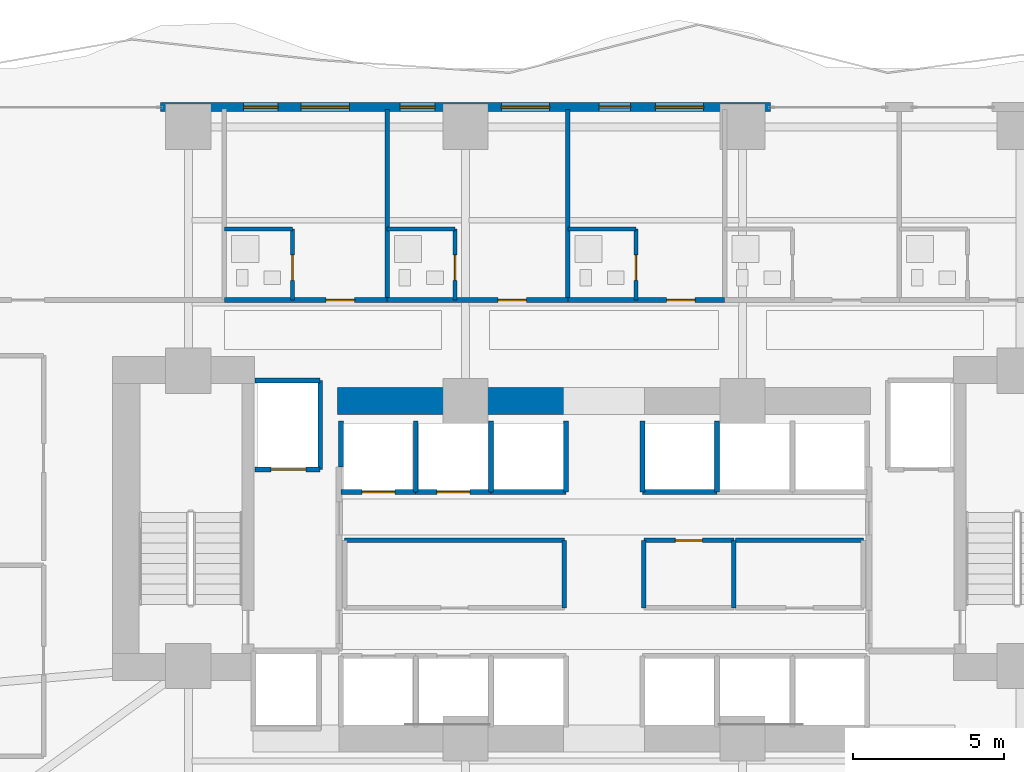
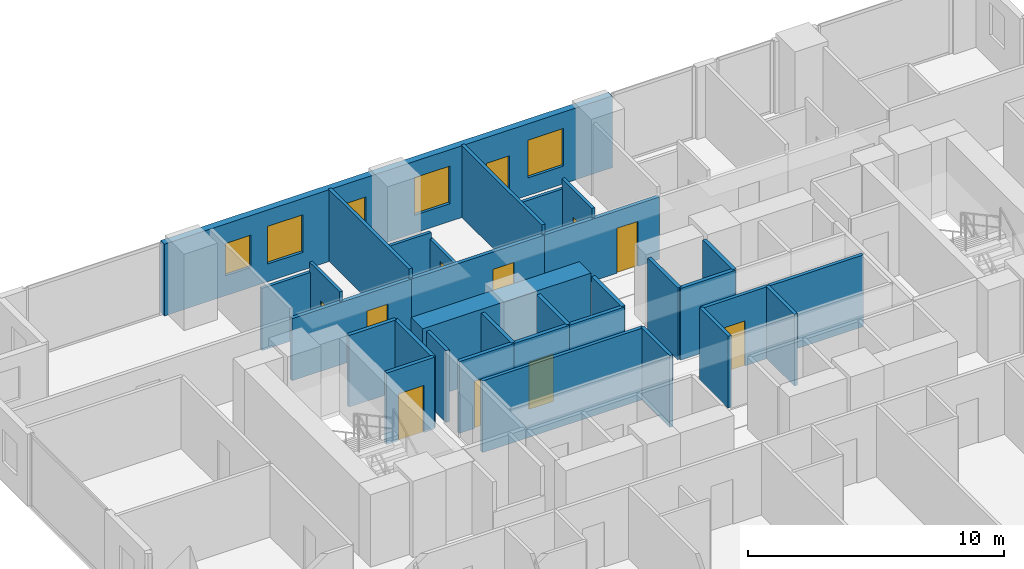
# One storey, part 21 of 28: 32 walls, 11 doors, 5 windows, 16 openings.
"""IFC4 building model written with IfcOpenShell, lengths in metres."""

from ifc_helpers import new_model, si_unit, direction, frame, frame_2d, origin, place, context, subcontext, project, spatial, rectangle, extrude, material, layer, layer_set, type_object, element, fill, save


model = new_model("IFC4")

# Units and contexts
model_context = context("Model", 3, precision=1e-05, world=origin(), true_north=direction((0.0, 1.0)))
body_context = subcontext(model_context, "Body", "Model", "MODEL_VIEW")
ifc_project = project(units=[si_unit("LENGTHUNIT", "METRE"), si_unit("AREAUNIT", "SQUARE_METRE"), si_unit("VOLUMEUNIT", "CUBIC_METRE"), si_unit("PLANEANGLEUNIT", "RADIAN"), si_unit("MASSUNIT", "GRAM", prefix="KILO")], contexts=[model_context])

# Site, building, storey
site_placement = place(None, origin())
site = spatial("IfcSite", under=ifc_project, at=site_placement, CompositionType="ELEMENT")
building_placement = place(site_placement, origin())
building = spatial("IfcBuilding", under=site, at=building_placement, Name="Zuhayl Quay Hotel", CompositionType="ELEMENT")
storey_placement = place(building_placement, frame((0.0, 0.0, 31.25)))
storey = spatial("IfcBuildingStorey", under=building, at=storey_placement, Name="L06", CompositionType="ELEMENT", Elevation=31.25)

# Wall
ifc_material_1 = material(Name="Concrete C70/85", Category="concrete")
ifc_layer_1 = layer(ifc_material_1, 0.89990234375, Name="Concrete C70/85", Category="concrete")
ifc_layer_set_1 = layer_set([ifc_layer_1], Name="Concrete C70/85")
wall_type_1 = type_object("IfcWallType", Name="WL_CORE_900", PredefinedType="SHEAR", material=ifc_layer_set_1)
wall_1_placement = place(storey_placement, frame((-8.85009765625, 13.35009765625, 0.0), z_axis=(0.0, 0.0, 1.0), x_axis=(1.0, 0.0, 0.0)))
element("IfcWall", 1, at=wall_1_placement, inside=storey, type_object=wall_type_1, Name="L06 Core Shear Wall CW_NC_W", PredefinedType="SHEAR", context=body_context, shape_type="SweptSolid", body=[
    extrude(rectangle(XDim=7.60009765625, YDim=0.89990234375, at=frame_2d((3.800048828125, 0.0))), origin(), (0.0, 0.0, 1.0), 3.429931640625),
])

# Wall, openings, door, windows
ifc_material_2 = material(Name="Precast concrete C45/55", Category="concrete")
ifc_layer_2 = layer(ifc_material_2, 0.300048828125, Name="Precast concrete C45/55", Category="concrete")
ifc_layer_set_2 = layer_set([ifc_layer_2], Name="Precast concrete C45/55")
wall_type_2 = type_object("IfcWallType", Name="WL_EXT_300", PredefinedType="STANDARD", material=ifc_layer_set_2)
wall_2_placement = place(storey_placement, frame((-14.719970703125, 23.10009765625, 0.0), z_axis=(0.0, 0.0, 1.0), x_axis=(1.0, 0.0, 0.0)))
wall_2 = element("IfcWall", 2, at=wall_2_placement, inside=storey, type_object=wall_type_2, Name="L06 Exterior Precast Wall ENV_L06_N_EW2", PredefinedType="STANDARD", context=body_context, shape_type="SweptSolid", body=[
    extrude(rectangle(XDim=20.239990234375, YDim=0.300048828125, at=frame_2d((10.1201171875, 0.0))), origin(), (0.0, 0.0, 1.0), 3.429931640625),
])
opening_1_placement = place(wall_2_placement, frame((14.554931640625, 0.0, 0.0)))
opening_1 = element("IfcOpeningElement", 3, at=opening_1_placement, cuts=wall_2, Name="Opening DG1", PredefinedType="OPENING", context=body_context, shape_type="SweptSolid", body=[
    extrude(rectangle(XDim=1.050048828125, YDim=2.199951171875, at=frame_2d((0.52490234375, 1.10009765625))), frame((0.0, 0.159912109375, 0.0), z_axis=(0.0, -1.0, 0.0), x_axis=(1.0, 0.0, 0.0)), (0.0, 0.0, 1.0), 0.320068359375),
])
opening_2_placement = place(wall_2_placement, frame((4.66796875, 0.0, 0.85009765625)))
opening_2 = element("IfcOpeningElement", 4, at=opening_2_placement, cuts=wall_2, Name="Opening W01", PredefinedType="OPENING", context=body_context, shape_type="SweptSolid", body=[
    extrude(rectangle(XDim=1.60009765625, YDim=1.800048828125, at=frame_2d((0.800048828125, 0.89990234375))), frame((0.0, 0.159912109375, 0.0), z_axis=(0.0, -1.0, 0.0), x_axis=(1.0, 0.0, 0.0)), (0.0, 0.0, 1.0), 0.320068359375),
])
opening_3_placement = place(wall_2_placement, frame((2.75390625, 0.0, 0.949951171875)))
opening_3 = element("IfcOpeningElement", 5, at=opening_3_placement, cuts=wall_2, Name="Opening W01N", PredefinedType="OPENING", context=body_context, shape_type="SweptSolid", body=[
    extrude(rectangle(XDim=1.14990234375, YDim=1.550048828125, at=frame_2d((0.574951171875, 0.77490234375))), frame((0.0, 0.159912109375, 0.0), z_axis=(0.0, -1.0, 0.0), x_axis=(1.0, 0.0, 0.0)), (0.0, 0.0, 1.0), 0.320068359375),
])
opening_4_placement = place(wall_2_placement, frame((7.955078125, 0.0, 0.949951171875)))
opening_4 = element("IfcOpeningElement", 6, at=opening_4_placement, cuts=wall_2, Name="Opening W01N", PredefinedType="OPENING", context=body_context, shape_type="SweptSolid", body=[
    extrude(rectangle(XDim=1.14990234375, YDim=1.550048828125, at=frame_2d((0.574951171875, 0.77490234375))), frame((0.0, 0.159912109375, 0.0), z_axis=(0.0, -1.0, 0.0), x_axis=(1.0, 0.0, 0.0)), (0.0, 0.0, 1.0), 0.320068359375),
])
opening_5_placement = place(wall_2_placement, frame((11.31005859375, 0.0, 0.85009765625)))
opening_5 = element("IfcOpeningElement", 7, at=opening_5_placement, cuts=wall_2, Name="Opening W01", PredefinedType="OPENING", context=body_context, shape_type="SweptSolid", body=[
    extrude(rectangle(XDim=1.60009765625, YDim=1.800048828125, at=frame_2d((0.800048828125, 0.89990234375))), frame((0.0, 0.159912109375, 0.0), z_axis=(0.0, -1.0, 0.0), x_axis=(1.0, 0.0, 0.0)), (0.0, 0.0, 1.0), 0.320068359375),
])
opening_6_placement = place(wall_2_placement, frame((16.427490234375, 0.0, 0.85009765625)))
opening_6 = element("IfcOpeningElement", 8, at=opening_6_placement, cuts=wall_2, Name="Opening W01", PredefinedType="OPENING", context=body_context, shape_type="SweptSolid", body=[
    extrude(rectangle(XDim=1.60009765625, YDim=1.800048828125, at=frame_2d((0.800048828125, 0.89990234375))), frame((0.0, 0.159912109375, 0.0), z_axis=(0.0, -1.0, 0.0), x_axis=(1.0, 0.0, 0.0)), (0.0, 0.0, 1.0), 0.320068359375),
])
ifc_material_3 = material(Name="Anodised Aluminium and Dark Solar Glass", Category="aluminium")
door_type_1 = type_object("IfcDoorType", Name="DR_EXT_TERR_1050", OperationType="NOTDEFINED", PredefinedType="DOOR", material=ifc_material_3)
door_1_placement = place(opening_1_placement, origin())
door_1 = element("IfcDoor", 9, at=door_1_placement, inside=storey, type_object=door_type_1, Name="L06 North Rippling Balcony Door", OperationType="SINGLE_SWING_LEFT", OverallHeight=2.199951171875, OverallWidth=1.050048828125, PredefinedType="DOOR", context=body_context, shape_type="SweptSolid", body=[
    extrude(rectangle(XDim=1.050048828125, YDim=2.199951171875, at=frame_2d((0.52490234375, 1.10009765625))), frame((0.0, 0.02490234375, 0.0), z_axis=(0.0, -1.0, 0.0), x_axis=(1.0, 0.0, 0.0)), (0.0, 0.0, 1.0), 0.050048828125),
])
fill(opening_1, door_1)
ifc_material_4 = material(Name="Dark Ceramic-Fritted Solar Glass", Category="glass")
window_type_1 = type_object("IfcWindowType", Name="WN_NOTCH_1350", PartitioningType="SINGLE_PANEL", PredefinedType="WINDOW", material=ifc_material_4)
window_1_placement = place(opening_3_placement, origin())
window_1 = element("IfcWindow", 10, at=window_1_placement, inside=storey, type_object=window_type_1, Name="L06 Operable Facade Window 2-1", OverallHeight=1.550048828125, OverallWidth=1.14990234375, PartitioningType="SINGLE_PANEL", PredefinedType="WINDOW", context=body_context, shape_type="SweptSolid", body=[
    extrude(rectangle(XDim=1.14990234375, YDim=1.550048828125, at=frame_2d((0.574951171875, 0.77490234375))), frame((0.0, 0.030029296875, 0.0), z_axis=(0.0, -1.0, 0.0), x_axis=(1.0, 0.0, 0.0)), (0.0, 0.0, 1.0), 0.06005859375),
])
fill(opening_3, window_1)
window_2_placement = place(opening_4_placement, origin())
window_2 = element("IfcWindow", 11, at=window_2_placement, inside=storey, type_object=window_type_1, Name="L06 Operable Facade Window 2-2", OverallHeight=1.550048828125, OverallWidth=1.14990234375, PartitioningType="SINGLE_PANEL", PredefinedType="WINDOW", context=body_context, shape_type="SweptSolid", body=[
    extrude(rectangle(XDim=1.14990234375, YDim=1.550048828125, at=frame_2d((0.574951171875, 0.77490234375))), frame((0.0, 0.030029296875, 0.0), z_axis=(0.0, -1.0, 0.0), x_axis=(1.0, 0.0, 0.0)), (0.0, 0.0, 1.0), 0.06005859375),
])
fill(opening_4, window_2)
window_type_2 = type_object("IfcWindowType", Name="WN_OPERABLE_1600", PartitioningType="DOUBLE_PANEL_VERTICAL", PredefinedType="WINDOW", material=ifc_material_4)
window_3_placement = place(opening_2_placement, origin())
window_3 = element("IfcWindow", 12, at=window_3_placement, inside=storey, type_object=window_type_2, Name="L06 North Operable Casement Window", OverallHeight=1.800048828125, OverallWidth=1.60009765625, PartitioningType="SINGLE_PANEL", PredefinedType="WINDOW", context=body_context, shape_type="SweptSolid", body=[
    extrude(rectangle(XDim=1.60009765625, YDim=1.800048828125, at=frame_2d((0.800048828125, 0.89990234375))), frame((0.0, 0.030029296875, 0.0), z_axis=(0.0, -1.0, 0.0), x_axis=(1.0, 0.0, 0.0)), (0.0, 0.0, 1.0), 0.06005859375),
])
fill(opening_2, window_3)
window_4_placement = place(opening_5_placement, origin())
window_4 = element("IfcWindow", 13, at=window_4_placement, inside=storey, type_object=window_type_2, Name="L06 Operable Facade Window 2-3", OverallHeight=1.800048828125, OverallWidth=1.60009765625, PartitioningType="SINGLE_PANEL", PredefinedType="WINDOW", context=body_context, shape_type="SweptSolid", body=[
    extrude(rectangle(XDim=1.60009765625, YDim=1.800048828125, at=frame_2d((0.800048828125, 0.89990234375))), frame((0.0, 0.030029296875, 0.0), z_axis=(0.0, -1.0, 0.0), x_axis=(1.0, 0.0, 0.0)), (0.0, 0.0, 1.0), 0.06005859375),
])
fill(opening_5, window_4)
window_5_placement = place(opening_6_placement, origin())
window_5 = element("IfcWindow", 14, at=window_5_placement, inside=storey, type_object=window_type_2, Name="L06 Operable Facade Window 2-4", OverallHeight=1.800048828125, OverallWidth=1.60009765625, PartitioningType="SINGLE_PANEL", PredefinedType="WINDOW", context=body_context, shape_type="SweptSolid", body=[
    extrude(rectangle(XDim=1.60009765625, YDim=1.800048828125, at=frame_2d((0.800048828125, 0.89990234375))), frame((0.0, 0.030029296875, 0.0), z_axis=(0.0, -1.0, 0.0), x_axis=(1.0, 0.0, 0.0)), (0.0, 0.0, 1.0), 0.06005859375),
])
fill(opening_6, window_5)

# Wall, opening, door
ifc_material_5 = material(Name="Acoustic Gypsum Partition STC-58")
ifc_layer_3 = layer(ifc_material_5, 0.14990234375, Name="Acoustic Gypsum Partition STC-58")
ifc_layer_set_3 = layer_set([ifc_layer_3], Name="Acoustic Gypsum Partition STC-58")
wall_type_3 = type_object("IfcWallType", Name="WL_PART_150", PredefinedType="PARTITIONING", material=ifc_layer_set_3)
wall_3_placement = place(storey_placement, frame((1.320068359375, 8.719970703125, 0.0), z_axis=(0.0, 0.0, 1.0), x_axis=(1.0, 0.0, 0.0)))
wall_3 = element("IfcWall", 15, at=wall_3_placement, inside=storey, type_object=wall_type_3, Name="L06 Partition IW_L06_CORE_IT_N", PredefinedType="PARTITIONING", context=body_context, shape_type="SweptSolid", body=[
    extrude(rectangle(XDim=2.989990234375, YDim=0.14990234375, at=frame_2d((1.4951171875, 0.0))), origin(), (0.0, 0.0, 1.0), 3.429931640625),
])
opening_7_placement = place(wall_3_placement, frame((1.044921875, 0.0, 0.0)))
opening_7 = element("IfcOpeningElement", 16, at=opening_7_placement, cuts=wall_3, Name="Opening D06", PredefinedType="OPENING", context=body_context, shape_type="SweptSolid", body=[
    extrude(rectangle(XDim=0.89990234375, YDim=2.14990234375, at=frame_2d((0.449951171875, 1.074951171875))), frame((0.0, 0.0849609375, 0.0), z_axis=(0.0, -1.0, 0.0), x_axis=(1.0, 0.0, 0.0)), (0.0, 0.0, 1.0), 0.169921875),
])
ifc_material_6 = material(Name="Steel ASTM A992 Grade 50", Category="steel")
door_type_2 = type_object("IfcDoorType", Name="DR_INT_900", OperationType="NOTDEFINED", PredefinedType="DOOR", material=ifc_material_6)
door_2_placement = place(opening_7_placement, origin())
door_2 = element("IfcDoor", 17, at=door_2_placement, inside=storey, type_object=door_type_2, Name="L06 Telecom Closet Door", OperationType="SINGLE_SWING_LEFT", OverallHeight=2.14990234375, OverallWidth=0.89990234375, PredefinedType="DOOR", context=body_context, shape_type="SweptSolid", body=[
    extrude(rectangle(XDim=0.89990234375, YDim=2.14990234375, at=frame_2d((0.449951171875, 1.074951171875))), frame((0.0, 0.02490234375, 0.0), z_axis=(0.0, -1.0, 0.0), x_axis=(1.0, 0.0, 0.0)), (0.0, 0.0, 1.0), 0.050048828125),
])
fill(opening_7, door_2)

# Walls
wall_4_placement = place(storey_placement, frame((-8.610107421875, 8.719970703125, 0.0), z_axis=(0.0, 0.0, 1.0), x_axis=(1.0, 0.0, 0.0)))
element("IfcWall", 18, at=wall_4_placement, inside=storey, type_object=wall_type_3, Name="L06 Partition IW_L06_CORE_EL_N", PredefinedType="PARTITIONING", context=body_context, shape_type="SweptSolid", body=[
    extrude(rectangle(XDim=7.2900390625, YDim=0.14990234375, at=frame_2d((3.64501953125, 0.0))), origin(), (0.0, 0.0, 1.0), 3.429931640625),
])
for number, where, z_axis, x_axis, name in (
    (19, (-1.320068359375, 6.47998046875, 0.0), (0.0, 0.0, 1.0), (0.0, 1.0, 0.0), "L06 Partition IW_L06_CORE_EL_E"),
    (20, (1.320068359375, 6.47998046875, 0.0), (0.0, 0.0, 1.0), (0.0, 1.0, 0.0), "L06 Partition IW_L06_CORE_IT_W"),
    (21, (4.31005859375, 6.47998046875, 0.0), (0.0, 0.0, 1.0), (0.0, 1.0, 0.0), "L06 Partition IW_L06_CORE_IT_E"),
):
    element("IfcWall", number, at=place(storey_placement, frame(where, z_axis=z_axis, x_axis=x_axis)), inside=storey, type_object=wall_type_3, Name=name, PredefinedType="PARTITIONING", context=body_context, shape_type="SweptSolid", body=[
        extrude(rectangle(XDim=2.239990234375, YDim=0.14990234375, at=frame_2d((1.1201171875, 0.0))), origin(), (0.0, 0.0, 1.0), 3.429931640625),
    ])
wall_5_placement = place(storey_placement, frame((4.3701171875, 8.719970703125, 0.0), z_axis=(0.0, 0.0, 1.0), x_axis=(1.0, 0.0, 0.0)))
element("IfcWall", 22, at=wall_5_placement, inside=storey, type_object=wall_type_3, Name="L06 Partition IW_L06_CORE_LN_N", PredefinedType="PARTITIONING", context=body_context, shape_type="SweptSolid", body=[
    extrude(rectangle(XDim=4.239990234375, YDim=0.14990234375, at=frame_2d((2.1201171875, 0.0))), origin(), (0.0, 0.0, 1.0), 3.429931640625),
])
for number, where, z_axis, x_axis, name in (
    (23, (-7.199951171875, 16.699951171875, 0.0), (0.0, 0.0, 1.0), (0.0, 1.0, 0.0), "L06 Partition IW_L06_NU02_E"),
    (24, (-1.199951171875, 16.699951171875, 0.0), (0.0, 0.0, 1.0), (0.0, 1.0, 0.0), "L06 Partition IW_L06_NU03_E"),
):
    element("IfcWall", number, at=place(storey_placement, frame(where, z_axis=z_axis, x_axis=x_axis)), inside=storey, type_object=wall_type_3, Name=name, PredefinedType="PARTITIONING", context=body_context, shape_type="SweptSolid", body=[
        extrude(rectangle(XDim=6.320068359375, YDim=0.14990234375, at=frame_2d((3.16015625, 0.0))), origin(), (0.0, 0.0, 1.0), 3.429931640625),
    ])

# Wall, opening, door
ifc_layer_4 = layer(ifc_material_5, 0.159912109375, Name="Acoustic Gypsum Partition STC-58")
ifc_layer_set_4 = layer_set([ifc_layer_4], Name="Acoustic Gypsum Partition STC-58")
wall_type_4 = type_object("IfcWallType", Name="WL_PART_CORR_160", PredefinedType="PARTITIONING", material=ifc_layer_set_4)
wall_6_placement = place(storey_placement, frame((-12.60009765625, 16.699951171875, 0.0), z_axis=(0.0, 0.0, 1.0), x_axis=(1.0, 0.0, 0.0)))
wall_6 = element("IfcWall", 25, at=wall_6_placement, inside=storey, type_object=wall_type_4, Name="L06 Partition IW_L06_NU02_COR", PredefinedType="PARTITIONING", context=body_context, shape_type="SweptSolid", body=[
    extrude(rectangle(XDim=5.400146484375, YDim=0.159912109375, at=frame_2d((2.7001953125, 0.0))), origin(), (0.0, 0.0, 1.0), 2.972900390625),
])
opening_8_placement = place(wall_6_placement, frame((3.375, 0.0, 0.0)))
opening_8 = element("IfcOpeningElement", 26, at=opening_8_placement, cuts=wall_6, Name="Opening D03", PredefinedType="OPENING", context=body_context, shape_type="SweptSolid", body=[
    extrude(rectangle(XDim=0.949951171875, YDim=2.14990234375, at=frame_2d((0.47509765625, 1.074951171875))), frame((0.0, 0.08984375, 0.0), z_axis=(0.0, -1.0, 0.0), x_axis=(1.0, 0.0, 0.0)), (0.0, 0.0, 1.0), 0.179931640625),
])
ifc_material_7 = material(Name="Solid Walnut Acoustic Fire Door")
door_type_3 = type_object("IfcDoorType", Name="DR_SUITE_950", OperationType="NOTDEFINED", PredefinedType="DOOR", material=ifc_material_7)
door_3_placement = place(opening_8_placement, origin())
door_3 = element("IfcDoor", 27, at=door_3_placement, inside=storey, type_object=door_type_3, Name="L06 Deluxe Gulf Guest Room L06-02 Entrance Door", OperationType="SINGLE_SWING_LEFT", OverallHeight=2.14990234375, OverallWidth=0.949951171875, PredefinedType="DOOR", context=body_context, shape_type="SweptSolid", body=[
    extrude(rectangle(XDim=0.949951171875, YDim=2.14990234375, at=frame_2d((0.47509765625, 1.074951171875))), frame((0.0, 0.02490234375, 0.0), z_axis=(0.0, -1.0, 0.0), x_axis=(1.0, 0.0, 0.0)), (0.0, 0.0, 1.0), 0.050048828125),
])
fill(opening_8, door_3)

wall_7_placement = place(storey_placement, frame((-7.199951171875, 16.699951171875, 0.0), z_axis=(0.0, 0.0, 1.0), x_axis=(1.0, 0.0, 0.0)))
wall_7 = element("IfcWall", 28, at=wall_7_placement, inside=storey, type_object=wall_type_4, Name="L06 Partition IW_L06_NU03_COR", PredefinedType="PARTITIONING", context=body_context, shape_type="SweptSolid", body=[
    extrude(rectangle(XDim=6.0, YDim=0.159912109375, at=frame_2d((3.0, 0.0))), origin(), (0.0, 0.0, 1.0), 2.972900390625),
])
opening_9_placement = place(wall_7_placement, frame((3.675048828125, 0.0, 0.0)))
opening_9 = element("IfcOpeningElement", 29, at=opening_9_placement, cuts=wall_7, Name="Opening D03", PredefinedType="OPENING", context=body_context, shape_type="SweptSolid", body=[
    extrude(rectangle(XDim=0.949951171875, YDim=2.14990234375, at=frame_2d((0.47509765625, 1.074951171875))), frame((0.0, 0.08984375, 0.0), z_axis=(0.0, -1.0, 0.0), x_axis=(1.0, 0.0, 0.0)), (0.0, 0.0, 1.0), 0.179931640625),
])
door_4_placement = place(opening_9_placement, origin())
door_4 = element("IfcDoor", 30, at=door_4_placement, inside=storey, type_object=door_type_3, Name="L06 Deluxe Gulf Guest Room L06-03 Entrance Door", OperationType="SINGLE_SWING_LEFT", OverallHeight=2.14990234375, OverallWidth=0.949951171875, PredefinedType="DOOR", context=body_context, shape_type="SweptSolid", body=[
    extrude(rectangle(XDim=0.949951171875, YDim=2.14990234375, at=frame_2d((0.47509765625, 1.074951171875))), frame((0.0, 0.02490234375, 0.0), z_axis=(0.0, -1.0, 0.0), x_axis=(1.0, 0.0, 0.0)), (0.0, 0.0, 1.0), 0.050048828125),
])
fill(opening_9, door_4)

wall_8_placement = place(storey_placement, frame((-1.199951171875, 16.699951171875, 0.0), z_axis=(0.0, 0.0, 1.0), x_axis=(1.0, 0.0, 0.0)))
wall_8 = element("IfcWall", 31, at=wall_8_placement, inside=storey, type_object=wall_type_4, Name="L06 Partition IW_L06_NU04_COR", PredefinedType="PARTITIONING", context=body_context, shape_type="SweptSolid", body=[
    extrude(rectangle(XDim=5.199951171875, YDim=0.159912109375, at=frame_2d((2.60009765625, 0.0))), origin(), (0.0, 0.0, 1.0), 2.972900390625),
])
opening_10_placement = place(wall_8_placement, frame((3.27490234375, 0.0, 0.0)))
opening_10 = element("IfcOpeningElement", 32, at=opening_10_placement, cuts=wall_8, Name="Opening D03", PredefinedType="OPENING", context=body_context, shape_type="SweptSolid", body=[
    extrude(rectangle(XDim=0.949951171875, YDim=2.14990234375, at=frame_2d((0.47509765625, 1.074951171875))), frame((0.0, 0.08984375, 0.0), z_axis=(0.0, -1.0, 0.0), x_axis=(1.0, 0.0, 0.0)), (0.0, 0.0, 1.0), 0.179931640625),
])
door_5_placement = place(opening_10_placement, origin())
door_5 = element("IfcDoor", 33, at=door_5_placement, inside=storey, type_object=door_type_3, Name="L06 Deluxe Gulf Guest Room L06-04 Entrance Door", OperationType="SINGLE_SWING_LEFT", OverallHeight=2.14990234375, OverallWidth=0.949951171875, PredefinedType="DOOR", context=body_context, shape_type="SweptSolid", body=[
    extrude(rectangle(XDim=0.949951171875, YDim=2.14990234375, at=frame_2d((0.47509765625, 1.074951171875))), frame((0.0, 0.02490234375, 0.0), z_axis=(0.0, -1.0, 0.0), x_axis=(1.0, 0.0, 0.0)), (0.0, 0.0, 1.0), 0.050048828125),
])
fill(opening_10, door_5)

ifc_material_8 = material(Name="Moisture-Resistant Sanitarychase Gypsum")
ifc_layer_5 = layer(ifc_material_8, 0.135009765625, Name="Moisture-Resistant Sanitarychase Gypsum")
ifc_layer_set_5 = layer_set([ifc_layer_5], Name="Moisture-Resistant Sanitarychase Gypsum")
wall_type_5 = type_object("IfcWallType", Name="WL_PART_PLUMB_150", PredefinedType="PLUMBINGWALL", material=ifc_layer_set_5)
wall_9_placement = place(storey_placement, frame((-10.340087890625, 16.699951171875, 0.0), z_axis=(0.0, 0.0, 1.0), x_axis=(0.0, 1.0, 0.0)))
wall_9 = element("IfcWall", 34, at=wall_9_placement, inside=storey, type_object=wall_type_5, Name="L06 Partition IW_L06_NU02_BE", PredefinedType="PLUMBINGWALL", context=body_context, shape_type="SweptSolid", body=[
    extrude(rectangle(XDim=2.360107421875, YDim=0.135009765625, at=frame_2d((1.18017578125, 0.0))), origin(), (0.0, 0.0, 1.0), 3.429931640625),
])
opening_11_placement = place(wall_9_placement, frame((0.64990234375, 0.0, 0.0)))
opening_11 = element("IfcOpeningElement", 35, at=opening_11_placement, cuts=wall_9, Name="Opening D04", PredefinedType="OPENING", context=body_context, shape_type="SweptSolid", body=[
    extrude(rectangle(XDim=0.85009765625, YDim=2.10009765625, at=frame_2d((0.425048828125, 1.050048828125))), frame((0.0, 0.077392578125, 0.0), z_axis=(0.0, -1.0, 0.0), x_axis=(1.0, 0.0, 0.0)), (0.0, 0.0, 1.0), 0.155029296875),
])
ifc_material_9 = material(Name="Moisture-Resistant Walnut Veneer")
door_type_4 = type_object("IfcDoorType", Name="DR_BATH_850", OperationType="NOTDEFINED", PredefinedType="DOOR", material=ifc_material_9)
door_6_placement = place(opening_11_placement, origin())
door_6 = element("IfcDoor", 36, at=door_6_placement, inside=storey, type_object=door_type_4, Name="L06 Deluxe Gulf Guest Room L06-02 En-Suite Door", OperationType="SINGLE_SWING_RIGHT", OverallHeight=2.10009765625, OverallWidth=0.85009765625, PredefinedType="DOOR", context=body_context, shape_type="SweptSolid", body=[
    extrude(rectangle(XDim=0.85009765625, YDim=2.10009765625, at=frame_2d((0.425048828125, 1.050048828125))), frame((0.0, 0.02490234375, 0.0), z_axis=(0.0, -1.0, 0.0), x_axis=(1.0, 0.0, 0.0)), (0.0, 0.0, 1.0), 0.050048828125),
])
fill(opening_11, door_6)

wall_10_placement = place(storey_placement, frame((-4.93994140625, 16.699951171875, 0.0), z_axis=(0.0, 0.0, 1.0), x_axis=(0.0, 1.0, 0.0)))
wall_10 = element("IfcWall", 37, at=wall_10_placement, inside=storey, type_object=wall_type_5, Name="L06 Partition IW_L06_NU03_BE", PredefinedType="PLUMBINGWALL", context=body_context, shape_type="SweptSolid", body=[
    extrude(rectangle(XDim=2.360107421875, YDim=0.135009765625, at=frame_2d((1.18017578125, 0.0))), origin(), (0.0, 0.0, 1.0), 2.66796875),
])
opening_12_placement = place(wall_10_placement, frame((0.64990234375, 0.0, 0.0)))
opening_12 = element("IfcOpeningElement", 38, at=opening_12_placement, cuts=wall_10, Name="Opening D04", PredefinedType="OPENING", context=body_context, shape_type="SweptSolid", body=[
    extrude(rectangle(XDim=0.85009765625, YDim=2.10009765625, at=frame_2d((0.425048828125, 1.050048828125))), frame((0.0, 0.077392578125, 0.0), z_axis=(0.0, -1.0, 0.0), x_axis=(1.0, 0.0, 0.0)), (0.0, 0.0, 1.0), 0.155029296875),
])
door_7_placement = place(opening_12_placement, origin())
door_7 = element("IfcDoor", 39, at=door_7_placement, inside=storey, type_object=door_type_4, Name="L06 Deluxe Gulf Guest Room L06-03 En-Suite Door", OperationType="SINGLE_SWING_RIGHT", OverallHeight=2.10009765625, OverallWidth=0.85009765625, PredefinedType="DOOR", context=body_context, shape_type="SweptSolid", body=[
    extrude(rectangle(XDim=0.85009765625, YDim=2.10009765625, at=frame_2d((0.425048828125, 1.050048828125))), frame((0.0, 0.02490234375, 0.0), z_axis=(0.0, -1.0, 0.0), x_axis=(1.0, 0.0, 0.0)), (0.0, 0.0, 1.0), 0.050048828125),
])
fill(opening_12, door_7)

wall_11_placement = place(storey_placement, frame((1.06005859375, 16.699951171875, 0.0), z_axis=(0.0, 0.0, 1.0), x_axis=(0.0, 1.0, 0.0)))
wall_11 = element("IfcWall", 40, at=wall_11_placement, inside=storey, type_object=wall_type_5, Name="L06 Partition IW_L06_NU04_BE", PredefinedType="PLUMBINGWALL", context=body_context, shape_type="SweptSolid", body=[
    extrude(rectangle(XDim=2.360107421875, YDim=0.135009765625, at=frame_2d((1.18017578125, 0.0))), origin(), (0.0, 0.0, 1.0), 3.429931640625),
])
opening_13_placement = place(wall_11_placement, frame((0.64990234375, 0.0, 0.0)))
opening_13 = element("IfcOpeningElement", 41, at=opening_13_placement, cuts=wall_11, Name="Opening D04", PredefinedType="OPENING", context=body_context, shape_type="SweptSolid", body=[
    extrude(rectangle(XDim=0.85009765625, YDim=2.10009765625, at=frame_2d((0.425048828125, 1.050048828125))), frame((0.0, 0.077392578125, 0.0), z_axis=(0.0, -1.0, 0.0), x_axis=(1.0, 0.0, 0.0)), (0.0, 0.0, 1.0), 0.155029296875),
])
door_8_placement = place(opening_13_placement, origin())
door_8 = element("IfcDoor", 42, at=door_8_placement, inside=storey, type_object=door_type_4, Name="L06 Deluxe Gulf Guest Room L06-04 En-Suite Door", OperationType="SINGLE_SWING_RIGHT", OverallHeight=2.10009765625, OverallWidth=0.85009765625, PredefinedType="DOOR", context=body_context, shape_type="SweptSolid", body=[
    extrude(rectangle(XDim=0.85009765625, YDim=2.10009765625, at=frame_2d((0.425048828125, 1.050048828125))), frame((0.0, 0.02490234375, 0.0), z_axis=(0.0, -1.0, 0.0), x_axis=(1.0, 0.0, 0.0)), (0.0, 0.0, 1.0), 0.050048828125),
])
fill(opening_13, door_8)

# Walls
for number, where, z_axis, x_axis, name in (
    (43, (-12.60009765625, 19.06005859375, 0.0), (0.0, 0.0, 1.0), (1.0, 0.0, 0.0), "L06 Partition IW_L06_NU02_BN"),
    (44, (-7.199951171875, 19.06005859375, 0.0), (0.0, 0.0, 1.0), (1.0, 0.0, 0.0), "L06 Partition IW_L06_NU03_BN"),
    (45, (-1.199951171875, 19.06005859375, 0.0), (0.0, 0.0, 1.0), (1.0, 0.0, 0.0), "L06 Partition IW_L06_NU04_BN"),
):
    element("IfcWall", number, at=place(storey_placement, frame(where, z_axis=z_axis, x_axis=x_axis)), inside=storey, type_object=wall_type_5, Name=name, PredefinedType="PLUMBINGWALL", context=body_context, shape_type="SweptSolid", body=[
        extrude(rectangle(XDim=2.260009765625, YDim=0.135009765625, at=frame_2d((1.1298828125, 0.0))), origin(), (0.0, 0.0, 1.0), 2.972900390625),
    ])

# Wall, opening, door
ifc_material_10 = material(Name="Gypsum Fireboard Assembly EI-90")
ifc_layer_6 = layer(ifc_material_10, 0.1650390625, Name="Gypsum Fireboard Assembly EI-90")
ifc_layer_set_6 = layer_set([ifc_layer_6], Name="Gypsum Fireboard Assembly EI-90")
wall_type_6 = type_object("IfcWallType", Name="WL_PART_SHAFT_160", PredefinedType="PARTITIONING", material=ifc_layer_set_6)
wall_12_placement = place(storey_placement, frame((-11.580078125, 11.070068359375, 0.0), z_axis=(0.0, 0.0, 1.0), x_axis=(1.0, 0.0, 0.0)))
wall_12 = element("IfcWall", 46, at=wall_12_placement, inside=storey, type_object=wall_type_6, Name="L06 Partition IW_L06_SH_FL1_F", PredefinedType="PARTITIONING", context=body_context, shape_type="SweptSolid", body=[
    extrude(rectangle(XDim=2.16015625, YDim=0.1650390625, at=frame_2d((1.080078125, 0.0))), origin(), (0.0, 0.0, 1.0), 3.429931640625),
])
opening_14_placement = place(wall_12_placement, frame((0.530029296875, 0.0, 0.0)))
opening_14 = element("IfcOpeningElement", 47, at=opening_14_placement, cuts=wall_12, Name="Opening LD2", PredefinedType="OPENING", context=body_context, shape_type="SweptSolid", body=[
    extrude(rectangle(XDim=1.14990234375, YDim=2.25, at=frame_2d((0.574951171875, 1.125))), frame((0.0, 0.092529296875, 0.0), z_axis=(0.0, -1.0, 0.0), x_axis=(1.0, 0.0, 0.0)), (0.0, 0.0, 1.0), 0.18505859375),
])
ifc_material_11 = material(Name="Brushed Stainless Steel", Category="steel")
door_type_5 = type_object("IfcDoorType", Name="DR_LIFT_FF_1100", OperationType="SLIDING_TO_LEFT", PredefinedType="DOOR", material=ifc_material_11)
door_9_placement = place(opening_14_placement, origin())
door_9 = element("IfcDoor", 48, at=door_9_placement, inside=storey, type_object=door_type_5, Name="L06 Lift FL1 Sliding Landing Door", OperationType="SLIDING_TO_LEFT", OverallHeight=2.25, OverallWidth=1.14990234375, PredefinedType="DOOR", context=body_context, shape_type="SweptSolid", body=[
    extrude(rectangle(XDim=1.14990234375, YDim=2.25, at=frame_2d((0.574951171875, 1.125))), frame((0.0, 0.02490234375, 0.0), z_axis=(0.0, -1.0, 0.0), x_axis=(1.0, 0.0, 0.0)), (0.0, 0.0, 1.0), 0.050048828125),
])
fill(opening_14, door_9)

wall_13_placement = place(storey_placement, frame((-8.72998046875, 10.320068359375, 0.0), z_axis=(0.0, 0.0, 1.0), x_axis=(1.0, 0.0, 0.0)))
wall_13 = element("IfcWall", 49, at=wall_13_placement, inside=storey, type_object=wall_type_6, Name="L06 Partition IW_L06_SH_LP3_F", PredefinedType="PARTITIONING", context=body_context, shape_type="SweptSolid", body=[
    extrude(rectangle(XDim=2.47998046875, YDim=0.1650390625, at=frame_2d((1.239990234375, 0.0))), origin(), (0.0, 0.0, 1.0), 3.429931640625),
])
opening_15_placement = place(wall_13_placement, frame((0.68994140625, 0.0, 0.0)))
opening_15 = element("IfcOpeningElement", 50, at=opening_15_placement, cuts=wall_13, Name="Opening LD1", PredefinedType="OPENING", context=body_context, shape_type="SweptSolid", body=[
    extrude(rectangle(XDim=1.10009765625, YDim=2.25, at=frame_2d((0.550048828125, 1.125))), frame((0.0, 0.092529296875, 0.0), z_axis=(0.0, -1.0, 0.0), x_axis=(1.0, 0.0, 0.0)), (0.0, 0.0, 1.0), 0.18505859375),
])
door_type_6 = type_object("IfcDoorType", Name="DR_LIFT_PASS_1100", OperationType="SLIDING_TO_LEFT", PredefinedType="DOOR", material=ifc_material_11)
door_10_placement = place(opening_15_placement, origin())
door_10 = element("IfcDoor", 51, at=door_10_placement, inside=storey, type_object=door_type_6, Name="L06 Lift LP3 Sliding Landing Door", OperationType="SLIDING_TO_LEFT", OverallHeight=2.25, OverallWidth=1.10009765625, PredefinedType="DOOR", context=body_context, shape_type="SweptSolid", body=[
    extrude(rectangle(XDim=1.10009765625, YDim=2.25, at=frame_2d((0.550048828125, 1.125))), frame((0.0, 0.02490234375, 0.0), z_axis=(0.0, -1.0, 0.0), x_axis=(1.0, 0.0, 0.0)), (0.0, 0.0, 1.0), 0.050048828125),
])
fill(opening_15, door_10)

wall_14_placement = place(storey_placement, frame((-6.25, 10.320068359375, 0.0), z_axis=(0.0, 0.0, 1.0), x_axis=(1.0, 0.0, 0.0)))
wall_14 = element("IfcWall", 52, at=wall_14_placement, inside=storey, type_object=wall_type_6, Name="L06 Partition IW_L06_SH_LP4_F", PredefinedType="PARTITIONING", context=body_context, shape_type="SweptSolid", body=[
    extrude(rectangle(XDim=2.5, YDim=0.1650390625, at=frame_2d((1.25, 0.0))), origin(), (0.0, 0.0, 1.0), 3.429931640625),
])
opening_16_placement = place(wall_14_placement, frame((0.699951171875, 0.0, 0.0)))
opening_16 = element("IfcOpeningElement", 53, at=opening_16_placement, cuts=wall_14, Name="Opening LD1", PredefinedType="OPENING", context=body_context, shape_type="SweptSolid", body=[
    extrude(rectangle(XDim=1.10009765625, YDim=2.25, at=frame_2d((0.550048828125, 1.125))), frame((0.0, 0.092529296875, 0.0), z_axis=(0.0, -1.0, 0.0), x_axis=(1.0, 0.0, 0.0)), (0.0, 0.0, 1.0), 0.18505859375),
])
door_11_placement = place(opening_16_placement, origin())
door_11 = element("IfcDoor", 54, at=door_11_placement, inside=storey, type_object=door_type_6, Name="L06 Lift LP4 Sliding Landing Door", OperationType="SLIDING_TO_LEFT", OverallHeight=2.25, OverallWidth=1.10009765625, PredefinedType="DOOR", context=body_context, shape_type="SweptSolid", body=[
    extrude(rectangle(XDim=1.10009765625, YDim=2.25, at=frame_2d((0.550048828125, 1.125))), frame((0.0, 0.02490234375, 0.0), z_axis=(0.0, -1.0, 0.0), x_axis=(1.0, 0.0, 0.0)), (0.0, 0.0, 1.0), 0.050048828125),
])
fill(opening_16, door_11)

# Walls
wall_15_placement = place(storey_placement, frame((-9.419921875, 11.070068359375, 0.0), z_axis=(0.0, 0.0, 1.0), x_axis=(0.0, 1.0, 0.0)))
element("IfcWall", 55, at=wall_15_placement, inside=storey, type_object=wall_type_6, Name="L06 Partition IW_L06_SH_FL1_E", PredefinedType="PARTITIONING", context=body_context, shape_type="SweptSolid", body=[
    extrude(rectangle(XDim=2.9599609375, YDim=0.1650390625, at=frame_2d((1.47998046875, 0.0))), origin(), (0.0, 0.0, 1.0), 3.429931640625),
])
wall_16_placement = place(storey_placement, frame((-11.580078125, 14.030029296875, 0.0), z_axis=(0.0, 0.0, 1.0), x_axis=(1.0, 0.0, 0.0)))
element("IfcWall", 56, at=wall_16_placement, inside=storey, type_object=wall_type_6, Name="L06 Partition IW_L06_SH_FL1_B", PredefinedType="PARTITIONING", context=body_context, shape_type="SweptSolid", body=[
    extrude(rectangle(XDim=2.16015625, YDim=0.1650390625, at=frame_2d((1.080078125, 0.0))), origin(), (0.0, 0.0, 1.0), 3.429931640625),
])
wall_17_placement = place(storey_placement, frame((-8.72998046875, 11.14990234375, 0.0), z_axis=(0.0, 0.0, 1.0), x_axis=(0.0, 1.0, 0.0)))
element("IfcWall", 57, at=wall_17_placement, inside=storey, type_object=wall_type_6, Name="L06 Partition IW_L06_SH_LP3_W", PredefinedType="PARTITIONING", context=body_context, shape_type="SweptSolid", body=[
    extrude(rectangle(XDim=1.530029296875, YDim=0.1650390625, at=frame_2d((0.76513671875, 0.0))), origin(), (0.0, 0.0, 1.0), 3.429931640625),
])
for number, where, z_axis, x_axis, name in (
    (58, (-6.25, 10.320068359375, 0.0), (0.0, 0.0, 1.0), (0.0, 1.0, 0.0), "L06 Partition IW_L06_SH_LP3_E"),
    (59, (-3.75, 10.320068359375, 0.0), (0.0, 0.0, 1.0), (0.0, 1.0, 0.0), "L06 Partition IW_L06_SH_LP4_E"),
):
    element("IfcWall", number, at=place(storey_placement, frame(where, z_axis=z_axis, x_axis=x_axis)), inside=storey, type_object=wall_type_6, Name=name, PredefinedType="PARTITIONING", context=body_context, shape_type="SweptSolid", body=[
        extrude(rectangle(XDim=2.35986328125, YDim=0.1650390625, at=frame_2d((1.179931640625, 0.0))), origin(), (0.0, 0.0, 1.0), 3.429931640625),
    ])
wall_18_placement = place(storey_placement, frame((-3.75, 10.320068359375, 0.0), z_axis=(0.0, 0.0, 1.0), x_axis=(1.0, 0.0, 0.0)))
element("IfcWall", 60, at=wall_18_placement, inside=storey, type_object=wall_type_6, Name="L06 Partition IW_L06_SH_MP3_F", PredefinedType="PARTITIONING", context=body_context, shape_type="SweptSolid", body=[
    extrude(rectangle(XDim=2.47998046875, YDim=0.1650390625, at=frame_2d((1.239990234375, 0.0))), origin(), (0.0, 0.0, 1.0), 3.429931640625),
])
wall_19_placement = place(storey_placement, frame((-1.27001953125, 10.320068359375, 0.0), z_axis=(0.0, 0.0, 1.0), x_axis=(0.0, 1.0, 0.0)))
element("IfcWall", 61, at=wall_19_placement, inside=storey, type_object=wall_type_6, Name="L06 Partition IW_L06_SH_MP3_E", PredefinedType="PARTITIONING", context=body_context, shape_type="SweptSolid", body=[
    extrude(rectangle(XDim=2.35986328125, YDim=0.1650390625, at=frame_2d((1.179931640625, 0.0))), origin(), (0.0, 0.0, 1.0), 3.429931640625),
])
wall_20_placement = place(storey_placement, frame((1.27001953125, 10.320068359375, 0.0), z_axis=(0.0, 0.0, 1.0), x_axis=(1.0, 0.0, 0.0)))
element("IfcWall", 62, at=wall_20_placement, inside=storey, type_object=wall_type_6, Name="L06 Partition IW_L06_SH_MP4_F", PredefinedType="PARTITIONING", context=body_context, shape_type="SweptSolid", body=[
    extrude(rectangle(XDim=2.47998046875, YDim=0.1650390625, at=frame_2d((1.239990234375, 0.0))), origin(), (0.0, 0.0, 1.0), 3.429931640625),
])
for number, where, z_axis, x_axis, name in (
    (63, (1.27001953125, 10.320068359375, 0.0), (0.0, 0.0, 1.0), (0.0, 1.0, 0.0), "L06 Partition IW_L06_SH_MP4_W"),
    (64, (3.75, 10.320068359375, 0.0), (0.0, 0.0, 1.0), (0.0, 1.0, 0.0), "L06 Partition IW_L06_SH_MP4_E"),
):
    element("IfcWall", number, at=place(storey_placement, frame(where, z_axis=z_axis, x_axis=x_axis)), inside=storey, type_object=wall_type_6, Name=name, PredefinedType="PARTITIONING", context=body_context, shape_type="SweptSolid", body=[
        extrude(rectangle(XDim=2.35986328125, YDim=0.1650390625, at=frame_2d((1.179931640625, 0.0))), origin(), (0.0, 0.0, 1.0), 3.429931640625),
    ])

save(model, "model.ifc")
